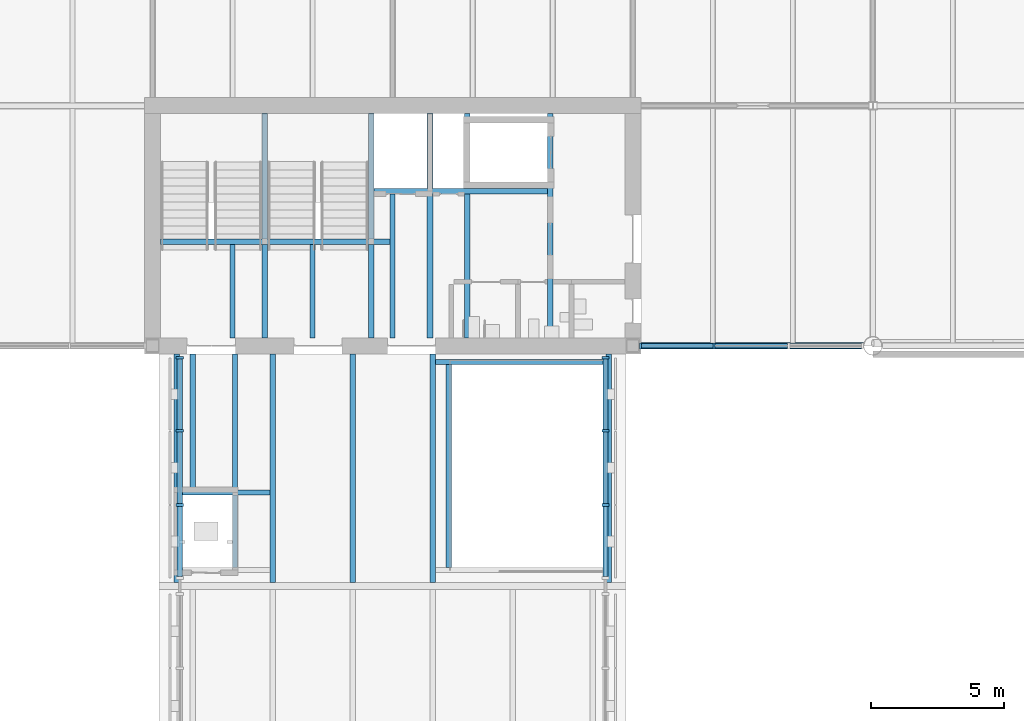
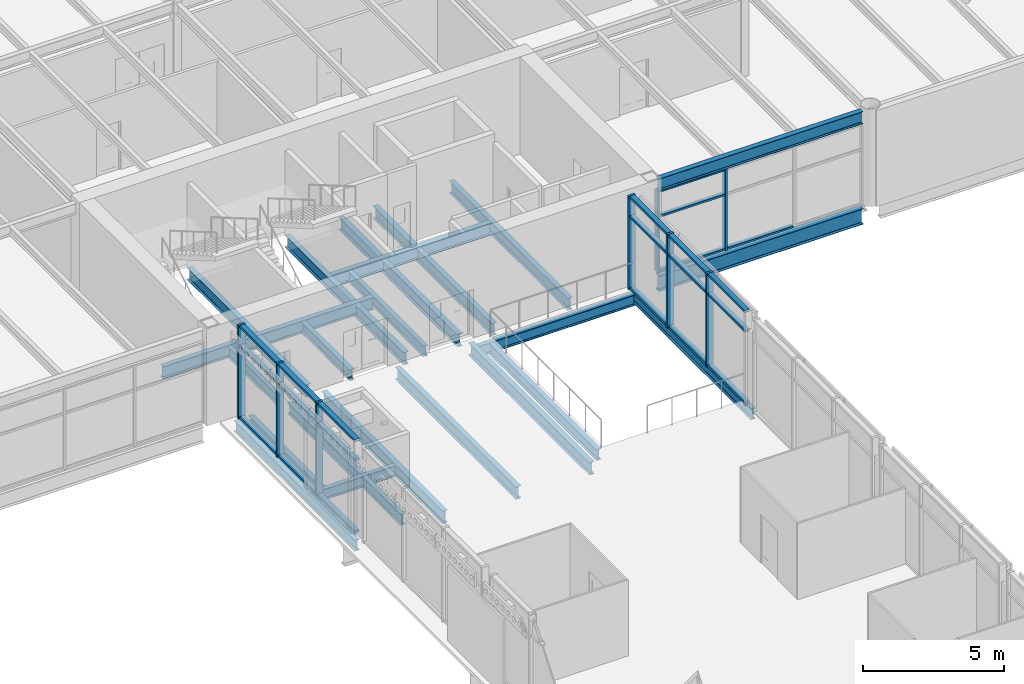
# One storey, part 34 of 123: 30 members, 27 beams, 3 elements without a shape of their own.
"""IFC4 building model written with IfcOpenShell, lengths in metres."""

import ifcopenshell
import ifcopenshell.guid

model = None  # the IFC model being written
_history = None  # IfcOwnerHistory: only IFC2X3 demands one
_inside = {}  # id of a spatial element -> (the spatial element, [elements in it])
_under = {}  # id of a project, library or spatial element -> (it, [spatial elements below it])
_declared = {}  # id of a project -> (the project, [libraries it declares])
_typed = {}  # id of a type object -> (the type object, [elements of that type])
_made_of = {}  # id of a material, layer set ... -> (it, [elements and type objects made of it])


def new_model(schema):
    """Start an empty IFC model of exactly this schema.

    Asked for "IFC4X3", IfcOpenShell would pick the latest addendum, in which some entities
    have other attributes; the version numbers below select the first issue.
    IFC2X3 requires an IfcOwnerHistory on every rooted entity: one is made here for all.
    """
    global model, _history
    if schema == "IFC4X3":
        model = ifcopenshell.file(schema_version=(4, 3, 0, 0))
    else:
        model = ifcopenshell.file(schema=schema)
    _inside.clear()
    _under.clear()
    _declared.clear()
    _typed.clear()
    _made_of.clear()
    _history = None
    if model.schema == "IFC2X3":
        org = make("IfcOrganization", Name="unknown")
        user = make(
            "IfcPersonAndOrganization",
            ThePerson=make("IfcPerson", FamilyName="unknown"),
            TheOrganization=org,
        )
        app = make(
            "IfcApplication",
            ApplicationDeveloper=org,
            Version="unknown",
            ApplicationFullName="unknown",
            ApplicationIdentifier="unknown",
        )
        _history = make(
            "IfcOwnerHistory",
            OwningUser=user,
            OwningApplication=app,
            ChangeAction="ADDED",
            CreationDate=0,
        )
    return model


def make(cls, **values):
    """One entity of the class cls with the attributes given. An attribute that is None is left unset."""
    return model.create_entity(
        cls, **{name: value for name, value in values.items() if value is not None}
    )


def rooted(cls, **values):
    """An entity with a GlobalId (a new one), such as an element, a storey or a relation."""
    return make(cls, GlobalId=ifcopenshell.guid.new(), OwnerHistory=_history, **values)


def si_unit(unit_type, name, prefix=None):
    """IfcSIUnit, for example si_unit("LENGTHUNIT", "METRE", prefix="MILLI")."""
    return make("IfcSIUnit", UnitType=unit_type, Prefix=prefix, Name=name)


def assignment(units):
    """IfcUnitAssignment: the units of a project."""
    return None if units is None else make("IfcUnitAssignment", Units=units)


def point(xyz):
    """IfcCartesianPoint."""
    return None if xyz is None else make("IfcCartesianPoint", Coordinates=xyz)


def direction(xyz):
    """IfcDirection."""
    return None if xyz is None else make("IfcDirection", DirectionRatios=xyz)


def frame(location, z_axis=None, x_axis=None):
    """IfcAxis2Placement3D, a coordinate frame: its origin and axes. An axis left out is left unset."""
    return make(
        "IfcAxis2Placement3D",
        Location=point(location),
        Axis=direction(z_axis),
        RefDirection=direction(x_axis),
    )


def frame_2d(location, x_axis=None):
    """IfcAxis2Placement2D, a coordinate frame in the plane: its origin and x axis."""
    return make(
        "IfcAxis2Placement2D", Location=point(location), RefDirection=direction(x_axis)
    )


def origin():
    """The frame at (0, 0, 0) with its axes left unset."""
    return frame((0.0, 0.0, 0.0))


def origin_2d():
    """The frame at (0, 0) in the plane with its x axis left unset."""
    return frame_2d((0.0, 0.0))


def place(relative_to, where):
    """IfcLocalPlacement: puts the frame where relative to a parent placement (None: the world)."""
    return make(
        "IfcLocalPlacement", PlacementRelTo=relative_to, RelativePlacement=where
    )


def context(
    kind, dimensions, precision=None, world=None, true_north=None, identifier=None
):
    """IfcGeometricRepresentationContext, for example the 3D "Model" context."""
    return make(
        "IfcGeometricRepresentationContext",
        ContextIdentifier=identifier,
        ContextType=kind,
        CoordinateSpaceDimension=dimensions,
        Precision=precision,
        WorldCoordinateSystem=world,
        TrueNorth=true_north,
    )


def subcontext(parent, identifier, kind, view, scale=None):
    """IfcGeometricRepresentationSubContext, for example "Body" below "Model"."""
    return make(
        "IfcGeometricRepresentationSubContext",
        ContextIdentifier=identifier,
        ContextType=kind,
        ParentContext=parent,
        TargetScale=scale,
        TargetView=view,
    )


def project(units=None, contexts=None):
    """IfcProject with its units and contexts."""
    return rooted(
        "IfcProject",
        Name="project",
        RepresentationContexts=contexts,
        UnitsInContext=assignment(units),
    )


def spatial(cls, under=None, at=None, **own):
    """A site, building, storey or space (cls), placed at a placement, below another one or the project."""
    s = rooted(cls, ObjectPlacement=at, **own)
    if under is not None:
        _under.setdefault(under.id(), (under, []))[1].append(s)
    return s


def profile(cls, at=None, kind="AREA", **sizes):
    """A parametric profile (cls). Its sizes go by their IFC names, for example OverallWidth=200.0."""
    return make(cls, ProfileType=kind, Position=at, **sizes)


def rectangle(**sizes):
    """IfcRectangleProfileDef."""
    return profile("IfcRectangleProfileDef", **sizes)


def i_section(**sizes):
    """IfcIShapeProfileDef."""
    return profile("IfcIShapeProfileDef", **sizes)


def extrude(swept, where, along, depth):
    """IfcExtrudedAreaSolid: the profile swept, set in the frame where, extruded along a direction by depth."""
    return make(
        "IfcExtrudedAreaSolid",
        SweptArea=swept,
        Position=where,
        ExtrudedDirection=direction(along),
        Depth=depth,
    )


def shape(context_of_items, identifier, shape_type, items):
    """IfcShapeRepresentation: the items that make up one representation, for example the "Body"."""
    return make(
        "IfcShapeRepresentation",
        ContextOfItems=context_of_items,
        RepresentationIdentifier=identifier,
        RepresentationType=shape_type,
        Items=items,
    )


def material(Name=None, Category=None):
    """IfcMaterial."""
    return make("IfcMaterial", Name=Name, Category=Category)


def material_profile(
    of_material, cross_section, Name=None, Category=None, Priority=None
):
    """IfcMaterialProfile: a cross section and its material."""
    return make(
        "IfcMaterialProfile",
        Name=Name,
        Material=of_material,
        Profile=cross_section,
        Priority=Priority,
        Category=Category,
    )


def profile_set(profiles, Name=None, composite=None):
    """IfcMaterialProfileSet."""
    return make(
        "IfcMaterialProfileSet",
        Name=Name,
        MaterialProfiles=profiles,
        CompositeProfile=composite,
    )


def made_of(thing, what):
    """Note that an element or type object is made of a material, layer set ...; save() writes the relation."""
    if what is not None:
        _made_of.setdefault(what.id(), (what, []))[1].append(thing)
    return thing


def type_object(cls, material=None, **own):
    """A type object (cls), such as IfcWallType, which elements share."""
    return made_of(rooted(cls, **own), material)


def element(
    cls,
    number,
    at=None,
    inside=None,
    cuts=None,
    type_object=None,
    material=None,
    context=None,
    identifier="Body",
    shape_type=None,
    held_by="IfcProductDefinitionShape",
    body=None,
    shapes=None,
    **own,
):
    """One element of the class cls, such as IfcWall. Its Tag is "e" and its number.

    at: its placement. inside: the storey or other place that contains it. cuts: it is an
    opening in that element (IfcRelVoidsElement). A single representation is given by context,
    identifier, shape_type and body (its items); several are given by shapes. held_by: the class
    of the entity that holds the representations. save() writes the other relations.
    """
    e = rooted(cls, Tag="e%d" % number, ObjectPlacement=at, **own)
    if body is not None:
        shapes = [shape(context, identifier, shape_type, body)]
    if shapes is not None:
        e.Representation = make(held_by, Representations=shapes)
    if inside is not None:
        _inside.setdefault(inside.id(), (inside, []))[1].append(e)
    if cuts is not None:
        rooted(
            "IfcRelVoidsElement", RelatingBuildingElement=cuts, RelatedOpeningElement=e
        )
    if type_object is not None:
        _typed.setdefault(type_object.id(), (type_object, []))[1].append(e)
    return made_of(e, material)


def aggregate(whole, parts):
    """IfcRelAggregates: a whole, such as a stair, and the parts it consists of."""
    return rooted("IfcRelAggregates", RelatingObject=whole, RelatedObjects=parts)


def save(model, path):
    """Write the relations noted so far, then the file.

    IfcRelAggregates (storeys below a building ...), IfcRelContainedInSpatialStructure (elements
    in a storey), IfcRelDefinesByType, IfcRelAssociatesMaterial and IfcRelDeclares: one each for
    every whole, place, type object, material and project.
    """
    for whole, parts in _under.values():
        aggregate(whole, parts)
    for where, things in _inside.values():
        rooted(
            "IfcRelContainedInSpatialStructure",
            RelatedElements=things,
            RelatingStructure=where,
        )
    for kind, things in _typed.values():
        rooted("IfcRelDefinesByType", RelatedObjects=things, RelatingType=kind)
    for what, things in _made_of.values():
        rooted("IfcRelAssociatesMaterial", RelatedObjects=things, RelatingMaterial=what)
    for by, libraries in _declared.values():
        rooted("IfcRelDeclares", RelatingContext=by, RelatedDefinitions=libraries)
    model.write(path)


model = new_model("IFC4")

# Units and contexts
model_context = context("Model", 3, precision=1e-05, world=origin(), true_north=direction((0.0, 1.0)))
body_context = subcontext(model_context, "Body", "Model", "MODEL_VIEW")
ifc_project = project(units=[si_unit("LENGTHUNIT", "METRE"), si_unit("AREAUNIT", "SQUARE_METRE"), si_unit("VOLUMEUNIT", "CUBIC_METRE"), si_unit("PLANEANGLEUNIT", "RADIAN"), si_unit("MASSUNIT", "GRAM", prefix="KILO")], contexts=[model_context])

# Site, building, storey
site_placement = place(None, origin())
site = spatial("IfcSite", under=ifc_project, at=site_placement, CompositionType="ELEMENT")
building_placement = place(site_placement, origin())
building = spatial("IfcBuilding", under=site, at=building_placement, Name="Baradari Gate Terminus", CompositionType="ELEMENT")
storey_placement = place(building_placement, frame((0.0, 0.0, 7.5)))
storey = spatial("IfcBuildingStorey", under=building, at=storey_placement, Name="L01", CompositionType="ELEMENT", Elevation=7.5)

# Beams
ifc_material_1 = material(Name="Steel S355", Category="steel")
ifc_material_profile_1 = material_profile(ifc_material_1, i_section(OverallWidth=0.19287109375, OverallDepth=0.46728515625, WebThickness=0.011474609375, FlangeThickness=0.01953125, FilletRadius=0.01025390625, at=origin_2d()), Name="UB 457x191x98")
ifc_profile_set_1 = profile_set([ifc_material_profile_1], Name="Steel S355")
beam_type_1 = type_object("IfcBeamType", Name="Concourse opening trimmer B19 UB 457x191x98", PredefinedType="BEAM", material=ifc_profile_set_1)
beam_1_placement = place(storey_placement, frame((73.00048828125, 75.5, -0.363525390625), z_axis=(1.0, 0.0, 0.0), x_axis=(0.0, 1.0, 0.0)))
element("IfcBeam", 1, at=beam_1_placement, inside=storey, type_object=beam_type_1, Name="Concourse opening trimmer B19 75.5:73-76.395 L01", PredefinedType="BEAM", context=body_context, shape_type="SweptSolid", body=[
    extrude(i_section(OverallWidth=0.19287109375, OverallDepth=0.46728515625, WebThickness=0.011474609375, FlangeThickness=0.01953125, FilletRadius=0.01025390625, at=origin_2d()), origin(), (0.0, 0.0, 1.0), 3.39404296875),
])
beam_2_placement = place(storey_placement, frame((82.60546875, 80.39990234375, -0.363525390625), z_axis=(1.0, 0.0, 0.0), x_axis=(0.0, 1.0, 0.0)))
element("IfcBeam", 2, at=beam_2_placement, inside=storey, type_object=beam_type_1, Name="Concourse opening trimmer B19 80.4:82.605-89 L01", PredefinedType="BEAM", context=body_context, shape_type="SweptSolid", body=[
    extrude(i_section(OverallWidth=0.19287109375, OverallDepth=0.46728515625, WebThickness=0.011474609375, FlangeThickness=0.01953125, FilletRadius=0.01025390625, at=origin_2d()), origin(), (0.0, 0.0, 1.0), 6.39404296875),
])
for number, where, z_axis, x_axis, name in (
    (3, (72.904052734375, 72.134033203125, -0.363525390625), (0.0, 1.0, 0.0), (-1.0, 0.0, 0.0), "Concourse opening trimmer B19 72.904:72.134-80.7 L01"),
    (4, (89.095947265625, 72.134033203125, -0.363525390625), (0.0, 1.0, 0.0), (-1.0, 0.0, 0.0), "Concourse opening trimmer B19 89.096:72.134-80.7 L01"),
):
    element("IfcBeam", number, at=place(storey_placement, frame(where, z_axis=z_axis, x_axis=x_axis)), inside=storey, type_object=beam_type_1, Name=name, PredefinedType="BEAM", context=body_context, shape_type="SweptSolid", body=[
        extrude(i_section(OverallWidth=0.19287109375, OverallDepth=0.46728515625, WebThickness=0.011474609375, FlangeThickness=0.01953125, FilletRadius=0.01025390625, at=origin_2d()), origin(), (0.0, 0.0, 1.0), 8.56591796875),
    ])
beam_3_placement = place(storey_placement, frame((75.095947265625, 72.6962890625, -0.363525390625), z_axis=(0.0, 1.0, 0.0), x_axis=(-1.0, 0.0, 0.0)))
element("IfcBeam", 5, at=beam_3_placement, inside=storey, type_object=beam_type_1, Name="Concourse opening trimmer B19 75.096:72.696-75.404 L01", PredefinedType="BEAM", context=body_context, shape_type="SweptSolid", body=[
    extrude(i_section(OverallWidth=0.19287109375, OverallDepth=0.46728515625, WebThickness=0.011474609375, FlangeThickness=0.01953125, FilletRadius=0.01025390625, at=origin_2d()), origin(), (0.0, 0.0, 1.0), 2.707275390625),
])
beam_4_placement = place(storey_placement, frame((75.095947265625, 75.596435546875, -0.363525390625), z_axis=(0.0, 1.0, 0.0), x_axis=(-1.0, 0.0, 0.0)))
element("IfcBeam", 6, at=beam_4_placement, inside=storey, type_object=beam_type_1, Name="Concourse opening trimmer B19 75.096:75.596-80.7 L01", PredefinedType="BEAM", context=body_context, shape_type="SweptSolid", body=[
    extrude(i_section(OverallWidth=0.19287109375, OverallDepth=0.46728515625, WebThickness=0.011474609375, FlangeThickness=0.01953125, FilletRadius=0.01025390625, at=origin_2d()), origin(), (0.0, 0.0, 1.0), 5.103515625),
])
beam_5_placement = place(storey_placement, frame((83.10400390625, 72.6962890625, -0.363525390625), z_axis=(0.0, 1.0, 0.0), x_axis=(-1.0, 0.0, 0.0)))
element("IfcBeam", 7, at=beam_5_placement, inside=storey, type_object=beam_type_1, Name="Concourse opening trimmer B19 83.104:72.696-80.304 L01", PredefinedType="BEAM", context=body_context, shape_type="SweptSolid", body=[
    extrude(i_section(OverallWidth=0.19287109375, OverallDepth=0.46728515625, WebThickness=0.011474609375, FlangeThickness=0.01953125, FilletRadius=0.01025390625, at=origin_2d()), origin(), (0.0, 0.0, 1.0), 7.607421875),
])
ifc_material_2 = material(Name="Steel S355", Category="steel")
ifc_material_profile_2 = material_profile(ifc_material_2, i_section(OverallWidth=0.19140625, OverallDepth=0.4599609375, WebThickness=0.010009765625, FlangeThickness=0.01611328125, FilletRadius=0.01025390625, at=origin_2d()), Name="UB 457x191x82")
ifc_profile_set_2 = profile_set([ifc_material_profile_2], Name="Steel S355")
beam_type_2 = type_object("IfcBeamType", Name="Core floor beam B23 UB 457x191x82", PredefinedType="BEAM", material=ifc_profile_set_2)
for number, where, z_axis, x_axis, name in (
    (8, (75.0, 81.300048828125, -0.360107421875), (0.0, 1.0, 0.0), (-1.0, 0.0, 0.0), "Core floor beam B23 75:81.3-84.795 L01"),
    (9, (78.0, 81.300048828125, -0.360107421875), (0.0, 1.0, 0.0), (-1.0, 0.0, 0.0), "Core floor beam B23 78:81.3-84.795 L01"),
):
    element("IfcBeam", number, at=place(storey_placement, frame(where, z_axis=z_axis, x_axis=x_axis)), inside=storey, type_object=beam_type_2, Name=name, PredefinedType="BEAM", context=body_context, shape_type="SweptSolid", body=[
        extrude(i_section(OverallWidth=0.19140625, OverallDepth=0.4599609375, WebThickness=0.010009765625, FlangeThickness=0.01611328125, FilletRadius=0.01025390625, at=origin_2d()), origin(), (0.0, 0.0, 1.0), 3.495361328125),
    ])
beam_6_placement = place(storey_placement, frame((81.0, 81.300048828125, -0.360107421875), z_axis=(0.0, 1.0, 0.0), x_axis=(-1.0, 0.0, 0.0)))
element("IfcBeam", 10, at=beam_6_placement, inside=storey, type_object=beam_type_2, Name="Core floor beam B23 10:81.3-86.695 L01", PredefinedType="BEAM", context=body_context, shape_type="SweptSolid", body=[
    extrude(i_section(OverallWidth=0.19140625, OverallDepth=0.4599609375, WebThickness=0.010009765625, FlangeThickness=0.01611328125, FilletRadius=0.01025390625, at=origin_2d()), origin(), (0.0, 0.0, 1.0), 5.395263671875),
])
ifc_material_3 = material(Name="Steel S355", Category="steel")
ifc_material_profile_3 = material_profile(ifc_material_3, i_section(OverallWidth=0.209228515625, OverallDepth=0.533203125, WebThickness=0.010009765625, FlangeThickness=0.015625, FilletRadius=0.0126953125, at=origin_2d()), Name="UB 533x210x92")
ifc_profile_set_3 = profile_set([ifc_material_profile_3], Name="Steel S355")
beam_type_3 = type_object("IfcBeamType", Name="Core floor trimmer beam B22 UB 533x210x92", PredefinedType="BEAM", material=ifc_profile_set_3)
beam_7_placement = place(storey_placement, frame((72.300048828125, 84.89990234375, -0.396484375), z_axis=(1.0, 0.0, 0.0), x_axis=(0.0, 1.0, 0.0)))
element("IfcBeam", 11, at=beam_7_placement, inside=storey, type_object=beam_type_3, Name="Core floor trimmer beam B22 84.9:72.3-80.904 L01", PredefinedType="BEAM", context=body_context, shape_type="SweptSolid", body=[
    extrude(i_section(OverallWidth=0.209228515625, OverallDepth=0.533203125, WebThickness=0.010009765625, FlangeThickness=0.015625, FilletRadius=0.0126953125, at=origin_2d()), origin(), (0.0, 0.0, 1.0), 8.604248046875),
])
beam_8_placement = place(storey_placement, frame((80.3046875, 86.800048828125, -0.396484375), z_axis=(1.0, 0.0, 0.0), x_axis=(0.0, 1.0, 0.0)))
element("IfcBeam", 12, at=beam_8_placement, inside=storey, type_object=beam_type_3, Name="Core floor trimmer beam B22 86.8:80.305-86.8 L01", PredefinedType="BEAM", context=body_context, shape_type="SweptSolid", body=[
    extrude(i_section(OverallWidth=0.209228515625, OverallDepth=0.533203125, WebThickness=0.010009765625, FlangeThickness=0.015625, FilletRadius=0.0126953125, at=origin_2d()), origin(), (0.0, 0.0, 1.0), 6.49560546875),
])
beam_9_placement = place(storey_placement, frame((86.905029296875, 81.300048828125, -0.396484375), z_axis=(0.0, 1.0, 0.0), x_axis=(-1.0, 0.0, 0.0)))
element("IfcBeam", 13, at=beam_9_placement, inside=storey, type_object=beam_type_3, Name="Core floor trimmer beam B22 86.905:81.3-89.7 L01", PredefinedType="BEAM", context=body_context, shape_type="SweptSolid", body=[
    extrude(i_section(OverallWidth=0.209228515625, OverallDepth=0.533203125, WebThickness=0.010009765625, FlangeThickness=0.015625, FilletRadius=0.0126953125, at=origin_2d()), origin(), (0.0, 0.0, 1.0), 8.39990234375),
])
beam_10_placement = place(storey_placement, frame((76.199951171875, 81.300048828125, -0.396484375), z_axis=(0.0, 1.0, 0.0), x_axis=(-1.0, 0.0, 0.0)))
element("IfcBeam", 14, at=beam_10_placement, inside=storey, type_object=beam_type_3, Name="Core floor trimmer beam B22 76.2:81.3-84.795 L01", PredefinedType="BEAM", context=body_context, shape_type="SweptSolid", body=[
    extrude(i_section(OverallWidth=0.209228515625, OverallDepth=0.533203125, WebThickness=0.010009765625, FlangeThickness=0.015625, FilletRadius=0.0126953125, at=origin_2d()), origin(), (0.0, 0.0, 1.0), 3.495361328125),
])
beam_11_placement = place(storey_placement, frame((76.199951171875, 85.004638671875, -0.396484375), z_axis=(0.0, 1.0, 0.0), x_axis=(-1.0, 0.0, 0.0)))
element("IfcBeam", 15, at=beam_11_placement, inside=storey, type_object=beam_type_3, Name="Core floor trimmer beam B22 76.2:85.005-89.7 L01", PredefinedType="BEAM", context=body_context, shape_type="SweptSolid", body=[
    extrude(i_section(OverallWidth=0.209228515625, OverallDepth=0.533203125, WebThickness=0.010009765625, FlangeThickness=0.015625, FilletRadius=0.0126953125, at=origin_2d()), origin(), (0.0, 0.0, 1.0), 4.6953125),
])
beam_12_placement = place(storey_placement, frame((80.199951171875, 81.300048828125, -0.396484375), z_axis=(0.0, 1.0, 0.0), x_axis=(-1.0, 0.0, 0.0)))
element("IfcBeam", 16, at=beam_12_placement, inside=storey, type_object=beam_type_3, Name="Core floor trimmer beam B22 80.2:81.3-84.795 L01", PredefinedType="BEAM", context=body_context, shape_type="SweptSolid", body=[
    extrude(i_section(OverallWidth=0.209228515625, OverallDepth=0.533203125, WebThickness=0.010009765625, FlangeThickness=0.015625, FilletRadius=0.0126953125, at=origin_2d()), origin(), (0.0, 0.0, 1.0), 3.495361328125),
])
beam_13_placement = place(storey_placement, frame((80.199951171875, 85.004638671875, -0.396484375), z_axis=(0.0, 1.0, 0.0), x_axis=(-1.0, 0.0, 0.0)))
element("IfcBeam", 17, at=beam_13_placement, inside=storey, type_object=beam_type_3, Name="Core floor trimmer beam B22 80.2:85.005-89.7 L01", PredefinedType="BEAM", context=body_context, shape_type="SweptSolid", body=[
    extrude(i_section(OverallWidth=0.209228515625, OverallDepth=0.533203125, WebThickness=0.010009765625, FlangeThickness=0.015625, FilletRadius=0.0126953125, at=origin_2d()), origin(), (0.0, 0.0, 1.0), 4.6953125),
])
beam_14_placement = place(storey_placement, frame((82.39990234375, 81.300048828125, -0.396484375), z_axis=(0.0, 1.0, 0.0), x_axis=(-1.0, 0.0, 0.0)))
element("IfcBeam", 18, at=beam_14_placement, inside=storey, type_object=beam_type_3, Name="Core floor trimmer beam B22 82.4:81.3-86.695 L01", PredefinedType="BEAM", context=body_context, shape_type="SweptSolid", body=[
    extrude(i_section(OverallWidth=0.209228515625, OverallDepth=0.533203125, WebThickness=0.010009765625, FlangeThickness=0.015625, FilletRadius=0.0126953125, at=origin_2d()), origin(), (0.0, 0.0, 1.0), 5.395263671875),
])
beam_15_placement = place(storey_placement, frame((82.39990234375, 86.90478515625, -0.396484375), z_axis=(0.0, 1.0, 0.0), x_axis=(-1.0, 0.0, 0.0)))
element("IfcBeam", 19, at=beam_15_placement, inside=storey, type_object=beam_type_3, Name="Core floor trimmer beam B22 82.4:86.905-89.7 L01", PredefinedType="BEAM", context=body_context, shape_type="SweptSolid", body=[
    extrude(i_section(OverallWidth=0.209228515625, OverallDepth=0.533203125, WebThickness=0.010009765625, FlangeThickness=0.015625, FilletRadius=0.0126953125, at=origin_2d()), origin(), (0.0, 0.0, 1.0), 2.795166015625),
])
beam_16_placement = place(storey_placement, frame((83.800048828125, 81.300048828125, -0.396484375), z_axis=(0.0, 1.0, 0.0), x_axis=(-1.0, 0.0, 0.0)))
element("IfcBeam", 20, at=beam_16_placement, inside=storey, type_object=beam_type_3, Name="Core floor trimmer beam B22 83.8:81.3-86.695 L01", PredefinedType="BEAM", context=body_context, shape_type="SweptSolid", body=[
    extrude(i_section(OverallWidth=0.209228515625, OverallDepth=0.533203125, WebThickness=0.010009765625, FlangeThickness=0.015625, FilletRadius=0.0126953125, at=origin_2d()), origin(), (0.0, 0.0, 1.0), 5.395263671875),
])
beam_17_placement = place(storey_placement, frame((83.800048828125, 86.90478515625, -0.396484375), z_axis=(0.0, 1.0, 0.0), x_axis=(-1.0, 0.0, 0.0)))
element("IfcBeam", 21, at=beam_17_placement, inside=storey, type_object=beam_type_3, Name="Core floor trimmer beam B22 83.8:86.905-89.7 L01", PredefinedType="BEAM", context=body_context, shape_type="SweptSolid", body=[
    extrude(i_section(OverallWidth=0.209228515625, OverallDepth=0.533203125, WebThickness=0.010009765625, FlangeThickness=0.015625, FilletRadius=0.0126953125, at=origin_2d()), origin(), (0.0, 0.0, 1.0), 2.795166015625),
])

# Curtain wall, members
ifc_material_4 = material(Name="Aluminium 6063-T6", Category="aluminium")
curtain_wall_type_1 = type_object("IfcCurtainWallType", Name="Curtain wall CW-13 concourse gallery glazing", PredefinedType="NOTDEFINED", material=ifc_material_4)
curtain_wall_1_placement = place(storey_placement, origin())
curtain_wall_1 = element("IfcCurtainWall", 22, at=curtain_wall_1_placement, inside=storey, type_object=curtain_wall_type_1, Name="Glazed curtain wall CW-13 HS bay 11 L01", PredefinedType="NOTDEFINED")
ifc_material_5 = material(Name="Aluminium 6063-T6", Category="aluminium")
ifc_material_profile_4 = material_profile(ifc_material_5, rectangle(XDim=0.22509765625, YDim=0.080078125, at=origin_2d()), Name="CM-13 80X225")
ifc_profile_set_4 = profile_set([ifc_material_profile_4], Name="Aluminium 6063-T6")
member_type_1 = type_object("IfcMemberType", Name="Curtain wall mullion CM-13 80x225", PredefinedType="MULLION", material=ifc_profile_set_4)
member_1_placement = place(storey_placement, frame((90.2900390625, 81.0, 0.0), z_axis=(0.0, 0.0, 1.0), x_axis=(0.0, 1.0, 0.0)))
member_1 = element("IfcMember", 23, at=member_1_placement, type_object=member_type_1, Name="CW-13 mullion 1", PredefinedType="MULLION", context=body_context, shape_type="SweptSolid", body=[
    extrude(rectangle(XDim=0.22509765625, YDim=0.080078125, at=origin_2d()), origin(), (0.0, 0.0, 1.0), 3.516845703125),
])
member_2_placement = place(storey_placement, frame((93.048095703125, 81.0, 0.0), z_axis=(0.0, 0.0, 1.0), x_axis=(0.0, 1.0, 0.0)))
member_2 = element("IfcMember", 24, at=member_2_placement, type_object=member_type_1, Name="CW-13 mullion 2", PredefinedType="MULLION", context=body_context, shape_type="SweptSolid", body=[
    extrude(rectangle(XDim=0.22509765625, YDim=0.080078125, at=origin_2d()), origin(), (0.0, 0.0, 1.0), 3.516845703125),
])

ifc_material_6 = material(Name="Aluminium 6063-T6", Category="aluminium")
curtain_wall_type_2 = type_object("IfcCurtainWallType", Name="Curtain wall CW-14 concourse bridge glazing", PredefinedType="NOTDEFINED", material=ifc_material_6)
curtain_wall_2_placement = place(storey_placement, origin())
curtain_wall_2 = element("IfcCurtainWall", 25, at=curtain_wall_2_placement, inside=storey, type_object=curtain_wall_type_2, Name="Curtain wall CW-3 gate west face L01 bay 5", PredefinedType="NOTDEFINED")
ifc_material_7 = material(Name="Aluminium 6063-T6", Category="aluminium")
ifc_material_profile_5 = material_profile(ifc_material_7, rectangle(XDim=0.27490234375, YDim=0.10009765625, at=origin_2d()), Name="CM-14 100X275")
ifc_profile_set_5 = profile_set([ifc_material_profile_5], Name="Aluminium 6063-T6")
member_type_2 = type_object("IfcMemberType", Name="Curtain wall mullion CM-14 100x275", PredefinedType="MULLION", material=ifc_profile_set_5)
member_3_placement = place(storey_placement, frame((73.02490234375, 75.033447265625, 0.0), z_axis=(0.0, 0.0, 1.0), x_axis=(-1.0, 0.0, 0.0)))
member_3 = element("IfcMember", 26, at=member_3_placement, type_object=member_type_2, Name="CW-14 mullion 2", PredefinedType="MULLION", context=body_context, shape_type="SweptSolid", body=[
    extrude(rectangle(XDim=0.27490234375, YDim=0.10009765625, at=origin_2d()), origin(), (0.0, 0.0, 1.0), 4.050048828125),
])
member_4_placement = place(storey_placement, frame((73.02490234375, 77.816650390625, 0.0), z_axis=(0.0, 0.0, 1.0), x_axis=(-1.0, 0.0, 0.0)))
member_4 = element("IfcMember", 27, at=member_4_placement, type_object=member_type_2, Name="CW-14 mullion 3", PredefinedType="MULLION", context=body_context, shape_type="SweptSolid", body=[
    extrude(rectangle(XDim=0.27490234375, YDim=0.10009765625, at=origin_2d()), origin(), (0.0, 0.0, 1.0), 4.050048828125),
])
member_5_placement = place(storey_placement, frame((73.02490234375, 80.550048828125, 0.0), z_axis=(0.0, 0.0, 1.0), x_axis=(-1.0, 0.0, 0.0)))
member_5 = element("IfcMember", 28, at=member_5_placement, type_object=member_type_2, Name="CW-14 mullion 4", PredefinedType="MULLION", context=body_context, shape_type="SweptSolid", body=[
    extrude(rectangle(XDim=0.27490234375, YDim=0.10009765625, at=origin_2d()), origin(), (0.0, 0.0, 1.0), 4.050048828125),
])

curtain_wall_3_placement = place(storey_placement, origin())
curtain_wall_3 = element("IfcCurtainWall", 29, at=curtain_wall_3_placement, inside=storey, type_object=curtain_wall_type_2, Name="Curtain wall CW-3 gate east face L01 bay 5", PredefinedType="NOTDEFINED")
member_6_placement = place(storey_placement, frame((88.97509765625, 75.033447265625, 0.0), z_axis=(0.0, 0.0, 1.0), x_axis=(-1.0, 0.0, 0.0)))
member_6 = element("IfcMember", 30, at=member_6_placement, type_object=member_type_2, Name="CW-14 mullion 2", PredefinedType="MULLION", context=body_context, shape_type="SweptSolid", body=[
    extrude(rectangle(XDim=0.27490234375, YDim=0.10009765625, at=origin_2d()), origin(), (0.0, 0.0, 1.0), 4.050048828125),
])
member_7_placement = place(storey_placement, frame((88.97509765625, 77.816650390625, 0.0), z_axis=(0.0, 0.0, 1.0), x_axis=(-1.0, 0.0, 0.0)))
member_7 = element("IfcMember", 31, at=member_7_placement, type_object=member_type_2, Name="CW-14 mullion 3", PredefinedType="MULLION", context=body_context, shape_type="SweptSolid", body=[
    extrude(rectangle(XDim=0.27490234375, YDim=0.10009765625, at=origin_2d()), origin(), (0.0, 0.0, 1.0), 4.050048828125),
])
member_8_placement = place(storey_placement, frame((88.97509765625, 80.550048828125, 0.0), z_axis=(0.0, 0.0, 1.0), x_axis=(-1.0, 0.0, 0.0)))
member_8 = element("IfcMember", 32, at=member_8_placement, type_object=member_type_2, Name="CW-14 mullion 4", PredefinedType="MULLION", context=body_context, shape_type="SweptSolid", body=[
    extrude(rectangle(XDim=0.27490234375, YDim=0.10009765625, at=origin_2d()), origin(), (0.0, 0.0, 1.0), 4.050048828125),
])

# Member
ifc_material_8 = material(Name="Aluminium 6063-T6", Category="aluminium")
ifc_material_profile_6 = material_profile(ifc_material_8, rectangle(XDim=0.159912109375, YDim=0.080078125, at=origin_2d()), Name="CT-13 80X160")
ifc_profile_set_6 = profile_set([ifc_material_profile_6], Name="Aluminium 6063-T6")
member_type_3 = type_object("IfcMemberType", Name="Curtain wall transom CT-13 80x160", PredefinedType="USERDEFINED", material=ifc_profile_set_6)
member_9_placement = place(storey_placement, frame((90.330078125, 81.0, 0.0400390625), z_axis=(1.0, 0.0, 0.0), x_axis=(0.0, 1.0, 0.0)))
member_9 = element("IfcMember", 33, at=member_9_placement, type_object=member_type_3, Name="CW-13 transom 1.1", ObjectType="TRANSOM", PredefinedType="USERDEFINED", context=body_context, shape_type="SweptSolid", body=[
    extrude(rectangle(XDim=0.159912109375, YDim=0.080078125, at=origin_2d()), origin(), (0.0, 0.0, 1.0), 2.677978515625),
])

member_10_placement = place(storey_placement, frame((90.330078125, 81.0, 2.39990234375), z_axis=(1.0, 0.0, 0.0), x_axis=(0.0, 1.0, 0.0)))
member_10 = element("IfcMember", 34, at=member_10_placement, type_object=member_type_3, Name="CW-13 transom 1.2", ObjectType="TRANSOM", PredefinedType="USERDEFINED", context=body_context, shape_type="SweptSolid", body=[
    extrude(rectangle(XDim=0.159912109375, YDim=0.080078125, at=origin_2d()), origin(), (0.0, 0.0, 1.0), 2.677978515625),
])

member_11_placement = place(storey_placement, frame((90.330078125, 81.0, 3.476806640625), z_axis=(1.0, 0.0, 0.0), x_axis=(0.0, 1.0, 0.0)))
member_11 = element("IfcMember", 35, at=member_11_placement, type_object=member_type_3, Name="CW-13 transom 1.3", ObjectType="TRANSOM", PredefinedType="USERDEFINED", context=body_context, shape_type="SweptSolid", body=[
    extrude(rectangle(XDim=0.159912109375, YDim=0.080078125, at=origin_2d()), origin(), (0.0, 0.0, 1.0), 2.677978515625),
])

member_12_placement = place(storey_placement, frame((93.088134765625, 81.0, 0.0400390625), z_axis=(1.0, 0.0, 0.0), x_axis=(0.0, 1.0, 0.0)))
member_12 = element("IfcMember", 36, at=member_12_placement, type_object=member_type_3, Name="CW-13 transom 2.1", ObjectType="TRANSOM", PredefinedType="USERDEFINED", context=body_context, shape_type="SweptSolid", body=[
    extrude(rectangle(XDim=0.159912109375, YDim=0.080078125, at=origin_2d()), origin(), (0.0, 0.0, 1.0), 2.71826171875),
])

aggregate(curtain_wall_1, [member_1, member_2, member_9, member_10, member_11, member_12])

ifc_material_9 = material(Name="Aluminium 6063-T6", Category="aluminium")
ifc_material_profile_7 = material_profile(ifc_material_9, rectangle(XDim=0.199951171875, YDim=0.10009765625, at=origin_2d()), Name="CT-14 100X200")
ifc_profile_set_7 = profile_set([ifc_material_profile_7], Name="Aluminium 6063-T6")
member_type_4 = type_object("IfcMemberType", Name="Curtain wall transom CT-14 100x200", PredefinedType="USERDEFINED", material=ifc_profile_set_7)
member_13_placement = place(storey_placement, frame((73.02490234375, 72.35009765625, 0.050048828125), z_axis=(0.0, 1.0, 0.0), x_axis=(-1.0, 0.0, 0.0)))
member_13 = element("IfcMember", 37, at=member_13_placement, type_object=member_type_4, Name="CW-14 transom 1.1", ObjectType="TRANSOM", PredefinedType="USERDEFINED", context=body_context, shape_type="SweptSolid", body=[
    extrude(rectangle(XDim=0.199951171875, YDim=0.10009765625, at=origin_2d()), origin(), (0.0, 0.0, 1.0), 2.63330078125),
])

member_14_placement = place(storey_placement, frame((73.02490234375, 72.35009765625, 3.14990234375), z_axis=(0.0, 1.0, 0.0), x_axis=(-1.0, 0.0, 0.0)))
member_14 = element("IfcMember", 38, at=member_14_placement, type_object=member_type_4, Name="CW-14 transom 1.2", ObjectType="TRANSOM", PredefinedType="USERDEFINED", context=body_context, shape_type="SweptSolid", body=[
    extrude(rectangle(XDim=0.199951171875, YDim=0.10009765625, at=origin_2d()), origin(), (0.0, 0.0, 1.0), 2.63330078125),
])

member_15_placement = place(storey_placement, frame((73.02490234375, 72.35009765625, 4.0), z_axis=(0.0, 1.0, 0.0), x_axis=(-1.0, 0.0, 0.0)))
member_15 = element("IfcMember", 39, at=member_15_placement, type_object=member_type_4, Name="CW-14 transom 1.3", ObjectType="TRANSOM", PredefinedType="USERDEFINED", context=body_context, shape_type="SweptSolid", body=[
    extrude(rectangle(XDim=0.199951171875, YDim=0.10009765625, at=origin_2d()), origin(), (0.0, 0.0, 1.0), 2.63330078125),
])

member_16_placement = place(storey_placement, frame((73.02490234375, 75.083251953125, 0.050048828125), z_axis=(0.0, 1.0, 0.0), x_axis=(-1.0, 0.0, 0.0)))
member_16 = element("IfcMember", 40, at=member_16_placement, type_object=member_type_4, Name="CW-14 transom 2.1", ObjectType="TRANSOM", PredefinedType="USERDEFINED", context=body_context, shape_type="SweptSolid", body=[
    extrude(rectangle(XDim=0.199951171875, YDim=0.10009765625, at=origin_2d()), origin(), (0.0, 0.0, 1.0), 2.683349609375),
])

member_17_placement = place(storey_placement, frame((73.02490234375, 75.083251953125, 3.14990234375), z_axis=(0.0, 1.0, 0.0), x_axis=(-1.0, 0.0, 0.0)))
member_17 = element("IfcMember", 41, at=member_17_placement, type_object=member_type_4, Name="CW-14 transom 2.2", ObjectType="TRANSOM", PredefinedType="USERDEFINED", context=body_context, shape_type="SweptSolid", body=[
    extrude(rectangle(XDim=0.199951171875, YDim=0.10009765625, at=origin_2d()), origin(), (0.0, 0.0, 1.0), 2.683349609375),
])

member_18_placement = place(storey_placement, frame((73.02490234375, 75.083251953125, 4.0), z_axis=(0.0, 1.0, 0.0), x_axis=(-1.0, 0.0, 0.0)))
member_18 = element("IfcMember", 42, at=member_18_placement, type_object=member_type_4, Name="CW-14 transom 2.3", ObjectType="TRANSOM", PredefinedType="USERDEFINED", context=body_context, shape_type="SweptSolid", body=[
    extrude(rectangle(XDim=0.199951171875, YDim=0.10009765625, at=origin_2d()), origin(), (0.0, 0.0, 1.0), 2.683349609375),
])

member_19_placement = place(storey_placement, frame((73.02490234375, 77.86669921875, 0.050048828125), z_axis=(0.0, 1.0, 0.0), x_axis=(-1.0, 0.0, 0.0)))
member_19 = element("IfcMember", 43, at=member_19_placement, type_object=member_type_4, Name="CW-14 transom 3.1", ObjectType="TRANSOM", PredefinedType="USERDEFINED", context=body_context, shape_type="SweptSolid", body=[
    extrude(rectangle(XDim=0.199951171875, YDim=0.10009765625, at=origin_2d()), origin(), (0.0, 0.0, 1.0), 2.63330078125),
])

member_20_placement = place(storey_placement, frame((73.02490234375, 77.86669921875, 3.14990234375), z_axis=(0.0, 1.0, 0.0), x_axis=(-1.0, 0.0, 0.0)))
member_20 = element("IfcMember", 44, at=member_20_placement, type_object=member_type_4, Name="CW-14 transom 3.2", ObjectType="TRANSOM", PredefinedType="USERDEFINED", context=body_context, shape_type="SweptSolid", body=[
    extrude(rectangle(XDim=0.199951171875, YDim=0.10009765625, at=origin_2d()), origin(), (0.0, 0.0, 1.0), 2.63330078125),
])

member_21_placement = place(storey_placement, frame((73.02490234375, 77.86669921875, 4.0), z_axis=(0.0, 1.0, 0.0), x_axis=(-1.0, 0.0, 0.0)))
member_21 = element("IfcMember", 45, at=member_21_placement, type_object=member_type_4, Name="CW-14 transom 3.3", ObjectType="TRANSOM", PredefinedType="USERDEFINED", context=body_context, shape_type="SweptSolid", body=[
    extrude(rectangle(XDim=0.199951171875, YDim=0.10009765625, at=origin_2d()), origin(), (0.0, 0.0, 1.0), 2.63330078125),
])

aggregate(curtain_wall_2, [member_3, member_4, member_5, member_13, member_14, member_15, member_16, member_17, member_18, member_19, member_20, member_21])

member_22_placement = place(storey_placement, frame((88.97509765625, 72.35009765625, 0.050048828125), z_axis=(0.0, 1.0, 0.0), x_axis=(-1.0, 0.0, 0.0)))
member_22 = element("IfcMember", 46, at=member_22_placement, type_object=member_type_4, Name="CW-14 transom 1.1", ObjectType="TRANSOM", PredefinedType="USERDEFINED", context=body_context, shape_type="SweptSolid", body=[
    extrude(rectangle(XDim=0.199951171875, YDim=0.10009765625, at=origin_2d()), origin(), (0.0, 0.0, 1.0), 2.63330078125),
])

member_23_placement = place(storey_placement, frame((88.97509765625, 72.35009765625, 3.14990234375), z_axis=(0.0, 1.0, 0.0), x_axis=(-1.0, 0.0, 0.0)))
member_23 = element("IfcMember", 47, at=member_23_placement, type_object=member_type_4, Name="CW-14 transom 1.2", ObjectType="TRANSOM", PredefinedType="USERDEFINED", context=body_context, shape_type="SweptSolid", body=[
    extrude(rectangle(XDim=0.199951171875, YDim=0.10009765625, at=origin_2d()), origin(), (0.0, 0.0, 1.0), 2.63330078125),
])

member_24_placement = place(storey_placement, frame((88.97509765625, 72.35009765625, 4.0), z_axis=(0.0, 1.0, 0.0), x_axis=(-1.0, 0.0, 0.0)))
member_24 = element("IfcMember", 48, at=member_24_placement, type_object=member_type_4, Name="CW-14 transom 1.3", ObjectType="TRANSOM", PredefinedType="USERDEFINED", context=body_context, shape_type="SweptSolid", body=[
    extrude(rectangle(XDim=0.199951171875, YDim=0.10009765625, at=origin_2d()), origin(), (0.0, 0.0, 1.0), 2.63330078125),
])

member_25_placement = place(storey_placement, frame((88.97509765625, 75.083251953125, 0.050048828125), z_axis=(0.0, 1.0, 0.0), x_axis=(-1.0, 0.0, 0.0)))
member_25 = element("IfcMember", 49, at=member_25_placement, type_object=member_type_4, Name="CW-14 transom 2.1", ObjectType="TRANSOM", PredefinedType="USERDEFINED", context=body_context, shape_type="SweptSolid", body=[
    extrude(rectangle(XDim=0.199951171875, YDim=0.10009765625, at=origin_2d()), origin(), (0.0, 0.0, 1.0), 2.683349609375),
])

member_26_placement = place(storey_placement, frame((88.97509765625, 75.083251953125, 3.14990234375), z_axis=(0.0, 1.0, 0.0), x_axis=(-1.0, 0.0, 0.0)))
member_26 = element("IfcMember", 50, at=member_26_placement, type_object=member_type_4, Name="CW-14 transom 2.2", ObjectType="TRANSOM", PredefinedType="USERDEFINED", context=body_context, shape_type="SweptSolid", body=[
    extrude(rectangle(XDim=0.199951171875, YDim=0.10009765625, at=origin_2d()), origin(), (0.0, 0.0, 1.0), 2.683349609375),
])

member_27_placement = place(storey_placement, frame((88.97509765625, 75.083251953125, 4.0), z_axis=(0.0, 1.0, 0.0), x_axis=(-1.0, 0.0, 0.0)))
member_27 = element("IfcMember", 51, at=member_27_placement, type_object=member_type_4, Name="CW-14 transom 2.3", ObjectType="TRANSOM", PredefinedType="USERDEFINED", context=body_context, shape_type="SweptSolid", body=[
    extrude(rectangle(XDim=0.199951171875, YDim=0.10009765625, at=origin_2d()), origin(), (0.0, 0.0, 1.0), 2.683349609375),
])

member_28_placement = place(storey_placement, frame((88.97509765625, 77.86669921875, 0.050048828125), z_axis=(0.0, 1.0, 0.0), x_axis=(-1.0, 0.0, 0.0)))
member_28 = element("IfcMember", 52, at=member_28_placement, type_object=member_type_4, Name="CW-14 transom 3.1", ObjectType="TRANSOM", PredefinedType="USERDEFINED", context=body_context, shape_type="SweptSolid", body=[
    extrude(rectangle(XDim=0.199951171875, YDim=0.10009765625, at=origin_2d()), origin(), (0.0, 0.0, 1.0), 2.63330078125),
])

member_29_placement = place(storey_placement, frame((88.97509765625, 77.86669921875, 3.14990234375), z_axis=(0.0, 1.0, 0.0), x_axis=(-1.0, 0.0, 0.0)))
member_29 = element("IfcMember", 53, at=member_29_placement, type_object=member_type_4, Name="CW-14 transom 3.2", ObjectType="TRANSOM", PredefinedType="USERDEFINED", context=body_context, shape_type="SweptSolid", body=[
    extrude(rectangle(XDim=0.199951171875, YDim=0.10009765625, at=origin_2d()), origin(), (0.0, 0.0, 1.0), 2.63330078125),
])

member_30_placement = place(storey_placement, frame((88.97509765625, 77.86669921875, 4.0), z_axis=(0.0, 1.0, 0.0), x_axis=(-1.0, 0.0, 0.0)))
member_30 = element("IfcMember", 54, at=member_30_placement, type_object=member_type_4, Name="CW-14 transom 3.3", ObjectType="TRANSOM", PredefinedType="USERDEFINED", context=body_context, shape_type="SweptSolid", body=[
    extrude(rectangle(XDim=0.199951171875, YDim=0.10009765625, at=origin_2d()), origin(), (0.0, 0.0, 1.0), 2.63330078125),
])

aggregate(curtain_wall_3, [member_6, member_7, member_8, member_22, member_23, member_24, member_25, member_26, member_27, member_28, member_29, member_30])

# Beams
ifc_material_10 = material(Name="Steel S355", Category="steel")
ifc_material_profile_8 = material_profile(ifc_material_10, i_section(OverallWidth=0.210693359375, OverallDepth=0.53955078125, WebThickness=0.01171875, FlangeThickness=0.018798828125, FilletRadius=0.0126953125, at=origin_2d()), Name="UB 533x210x109")
ifc_profile_set_8 = profile_set([ifc_material_profile_8], Name="Steel S355")
beam_type_4 = type_object("IfcBeamType", Name="Gate concourse secondary beam B21 UB 533x210x109", PredefinedType="BEAM", material=ifc_profile_set_8)
beam_18_placement = place(storey_placement, frame((73.5, 75.596435546875, -0.399658203125), z_axis=(0.0, 1.0, 0.0), x_axis=(-1.0, 0.0, 0.0)))
element("IfcBeam", 55, at=beam_18_placement, inside=storey, type_object=beam_type_4, Name="Gate concourse secondary beam B21 73.5:75.596-80.7 L01", PredefinedType="BEAM", context=body_context, shape_type="SweptSolid", body=[
    extrude(i_section(OverallWidth=0.210693359375, OverallDepth=0.53955078125, WebThickness=0.01171875, FlangeThickness=0.018798828125, FilletRadius=0.0126953125, at=origin_2d()), origin(), (0.0, 0.0, 1.0), 5.103515625),
])
for number, where, z_axis, x_axis, name in (
    (56, (76.5, 72.134033203125, -0.399658203125), (0.0, 1.0, 0.0), (-1.0, 0.0, 0.0), "Gate concourse secondary beam B21 76.5:72.134-80.7 L01"),
    (57, (79.5, 72.134033203125, -0.399658203125), (0.0, 1.0, 0.0), (-1.0, 0.0, 0.0), "Gate concourse secondary beam B21 79.5:72.134-80.7 L01"),
    (58, (82.5, 72.134033203125, -0.399658203125), (0.0, 1.0, 0.0), (-1.0, 0.0, 0.0), "Gate concourse secondary beam B21 82.5:72.134-80.7 L01"),
):
    element("IfcBeam", number, at=place(storey_placement, frame(where, z_axis=z_axis, x_axis=x_axis)), inside=storey, type_object=beam_type_4, Name=name, PredefinedType="BEAM", context=body_context, shape_type="SweptSolid", body=[
        extrude(i_section(OverallWidth=0.210693359375, OverallDepth=0.53955078125, WebThickness=0.01171875, FlangeThickness=0.018798828125, FilletRadius=0.0126953125, at=origin_2d()), origin(), (0.0, 0.0, 1.0), 8.56591796875),
    ])
ifc_material_11 = material(Name="Steel S355", Category="steel")
ifc_material_profile_9 = material_profile(ifc_material_11, i_section(OverallWidth=0.2529296875, OverallDepth=0.677978515625, WebThickness=0.01171875, FlangeThickness=0.01611328125, FilletRadius=0.01513671875, at=origin_2d()), Name="UB 686x254x125")
ifc_profile_set_9 = profile_set([ifc_material_profile_9], Name="Steel S355")
beam_type_5 = type_object("IfcBeamType", Name="Head-house edge girder B07 UB 686x254x125", PredefinedType="BEAM", material=ifc_profile_set_9)
beam_19_placement = place(storey_placement, frame((90.300048828125, 81.0, -0.468994140625), z_axis=(1.0, 0.0, 0.0), x_axis=(0.0, 1.0, 0.0)))
element("IfcBeam", 59, at=beam_19_placement, inside=storey, type_object=beam_type_5, Name="Head-house edge girder B07 K:90.3-98.644 L01", PredefinedType="BEAM", context=body_context, shape_type="SweptSolid", body=[
    extrude(i_section(OverallWidth=0.2529296875, OverallDepth=0.677978515625, WebThickness=0.01171875, FlangeThickness=0.01611328125, FilletRadius=0.01513671875, at=origin_2d()), origin(), (0.0, 0.0, 1.0), 8.344482421875),
])
ifc_material_12 = material(Name="Steel S355", Category="steel")
ifc_material_profile_10 = material_profile(ifc_material_12, i_section(OverallWidth=0.209228515625, OverallDepth=0.533203125, WebThickness=0.010009765625, FlangeThickness=0.015625, FilletRadius=0.0126953125, at=origin_2d()), Name="UB 533x210x92")
ifc_profile_set_10 = profile_set([ifc_material_profile_10], Name="Steel S355")
beam_type_6 = type_object("IfcBeamType", Name="Head-house roof edge girder B48 UB 533x210x92", PredefinedType="BEAM", material=ifc_profile_set_10)
beam_20_placement = place(storey_placement, frame((90.300048828125, 81.0, 3.783447265625), z_axis=(1.0, 0.0, 0.0), x_axis=(0.0, 1.0, 0.0)))
element("IfcBeam", 60, at=beam_20_placement, inside=storey, type_object=beam_type_6, Name="Head-house roof edge girder B48 K:90.3-98.644 L01", PredefinedType="BEAM", context=body_context, shape_type="SweptSolid", body=[
    extrude(i_section(OverallWidth=0.209228515625, OverallDepth=0.533203125, WebThickness=0.010009765625, FlangeThickness=0.015625, FilletRadius=0.0126953125, at=origin_2d()), origin(), (0.0, 0.0, 1.0), 8.344482421875),
])

save(model, "model.ifc")
